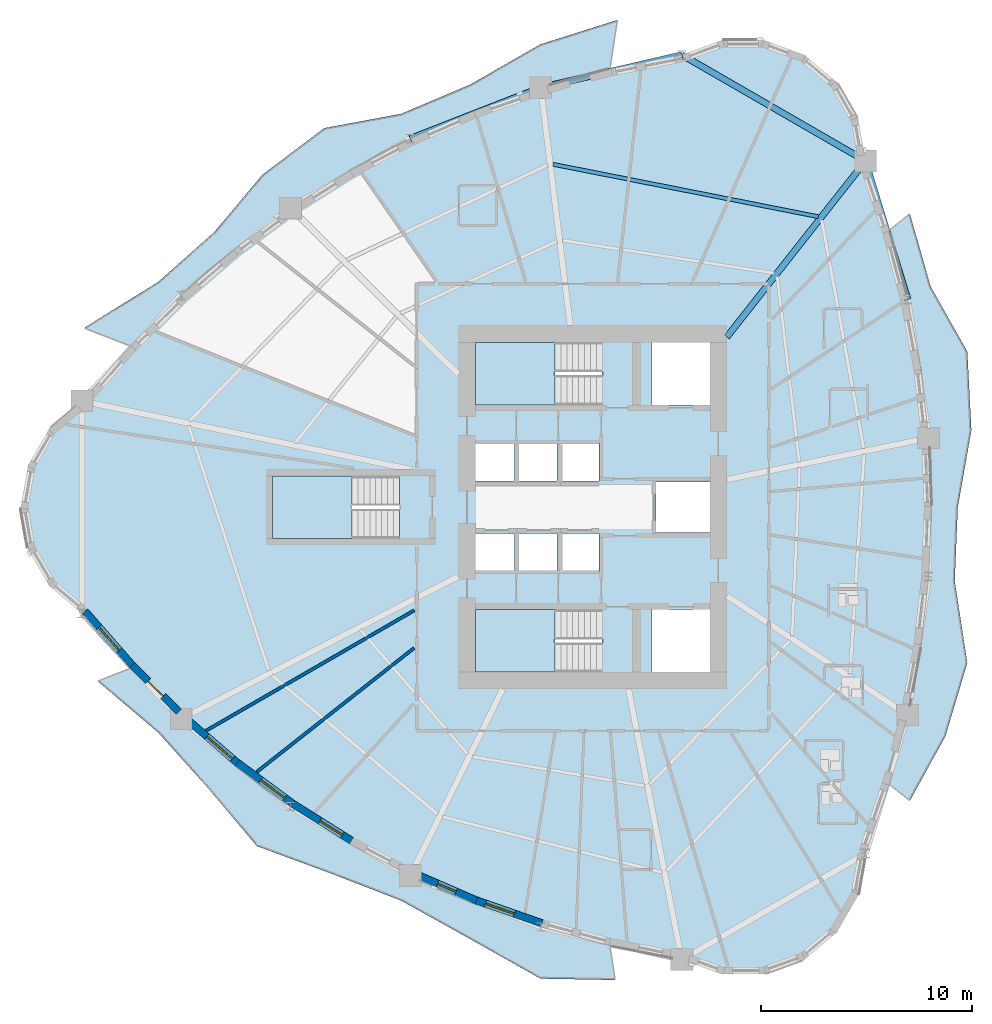
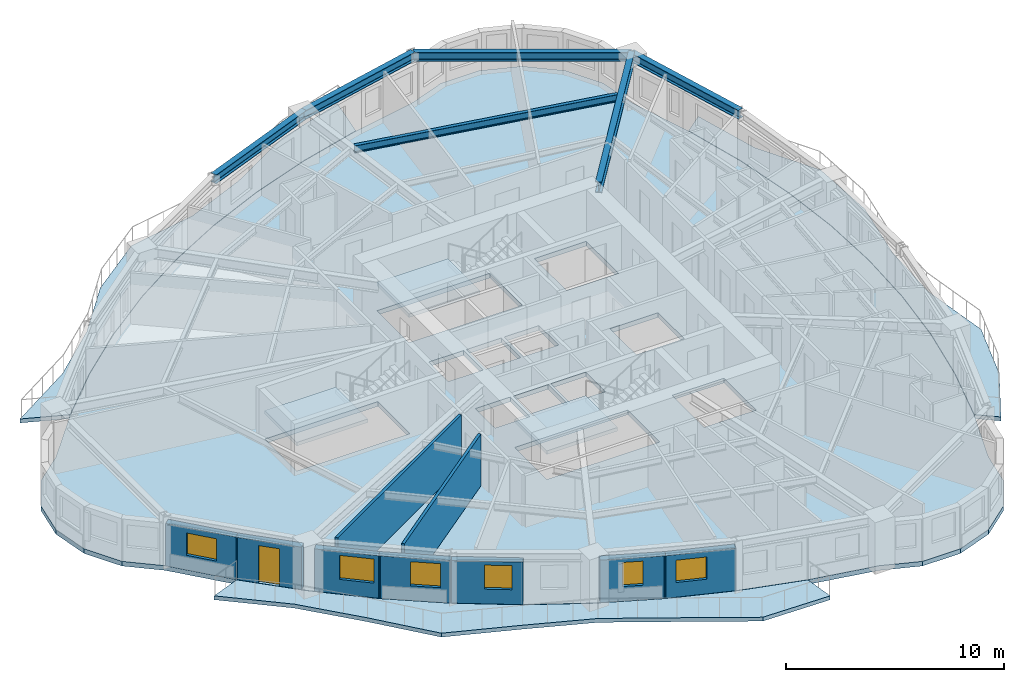
# One storey, part 2 of 13: 9 walls, 7 slabs, 6 beams, 6 windows, 1 door, 7 openings, 3 elements without a shape of their own.
"""IFC4 building model written with IfcOpenShell, lengths in metres."""

import ifcopenshell
import ifcopenshell.guid

model = None  # the IFC model being written
_history = None  # IfcOwnerHistory: only IFC2X3 demands one
_inside = {}  # id of a spatial element -> (the spatial element, [elements in it])
_under = {}  # id of a project, library or spatial element -> (it, [spatial elements below it])
_declared = {}  # id of a project -> (the project, [libraries it declares])
_typed = {}  # id of a type object -> (the type object, [elements of that type])
_made_of = {}  # id of a material, layer set ... -> (it, [elements and type objects made of it])


def new_model(schema):
    """Start an empty IFC model of exactly this schema.

    Asked for "IFC4X3", IfcOpenShell would pick the latest addendum, in which some entities
    have other attributes; the version numbers below select the first issue.
    IFC2X3 requires an IfcOwnerHistory on every rooted entity: one is made here for all.
    """
    global model, _history
    if schema == "IFC4X3":
        model = ifcopenshell.file(schema_version=(4, 3, 0, 0))
    else:
        model = ifcopenshell.file(schema=schema)
    _inside.clear()
    _under.clear()
    _declared.clear()
    _typed.clear()
    _made_of.clear()
    _history = None
    if model.schema == "IFC2X3":
        org = make("IfcOrganization", Name="unknown")
        user = make(
            "IfcPersonAndOrganization",
            ThePerson=make("IfcPerson", FamilyName="unknown"),
            TheOrganization=org,
        )
        app = make(
            "IfcApplication",
            ApplicationDeveloper=org,
            Version="unknown",
            ApplicationFullName="unknown",
            ApplicationIdentifier="unknown",
        )
        _history = make(
            "IfcOwnerHistory",
            OwningUser=user,
            OwningApplication=app,
            ChangeAction="ADDED",
            CreationDate=0,
        )
    return model


def make(cls, **values):
    """One entity of the class cls with the attributes given. An attribute that is None is left unset."""
    return model.create_entity(
        cls, **{name: value for name, value in values.items() if value is not None}
    )


def rooted(cls, **values):
    """An entity with a GlobalId (a new one), such as an element, a storey or a relation."""
    return make(cls, GlobalId=ifcopenshell.guid.new(), OwnerHistory=_history, **values)


def si_unit(unit_type, name, prefix=None):
    """IfcSIUnit, for example si_unit("LENGTHUNIT", "METRE", prefix="MILLI")."""
    return make("IfcSIUnit", UnitType=unit_type, Prefix=prefix, Name=name)


def assignment(units):
    """IfcUnitAssignment: the units of a project."""
    return None if units is None else make("IfcUnitAssignment", Units=units)


def point(xyz):
    """IfcCartesianPoint."""
    return None if xyz is None else make("IfcCartesianPoint", Coordinates=xyz)


def direction(xyz):
    """IfcDirection."""
    return None if xyz is None else make("IfcDirection", DirectionRatios=xyz)


def frame(location, z_axis=None, x_axis=None):
    """IfcAxis2Placement3D, a coordinate frame: its origin and axes. An axis left out is left unset."""
    return make(
        "IfcAxis2Placement3D",
        Location=point(location),
        Axis=direction(z_axis),
        RefDirection=direction(x_axis),
    )


def frame_2d(location, x_axis=None):
    """IfcAxis2Placement2D, a coordinate frame in the plane: its origin and x axis."""
    return make(
        "IfcAxis2Placement2D", Location=point(location), RefDirection=direction(x_axis)
    )


def origin():
    """The frame at (0, 0, 0) with its axes left unset."""
    return frame((0.0, 0.0, 0.0))


def origin_2d():
    """The frame at (0, 0) in the plane with its x axis left unset."""
    return frame_2d((0.0, 0.0))


def place(relative_to, where):
    """IfcLocalPlacement: puts the frame where relative to a parent placement (None: the world)."""
    return make(
        "IfcLocalPlacement", PlacementRelTo=relative_to, RelativePlacement=where
    )


def context(
    kind, dimensions, precision=None, world=None, true_north=None, identifier=None
):
    """IfcGeometricRepresentationContext, for example the 3D "Model" context."""
    return make(
        "IfcGeometricRepresentationContext",
        ContextIdentifier=identifier,
        ContextType=kind,
        CoordinateSpaceDimension=dimensions,
        Precision=precision,
        WorldCoordinateSystem=world,
        TrueNorth=true_north,
    )


def subcontext(parent, identifier, kind, view, scale=None):
    """IfcGeometricRepresentationSubContext, for example "Body" below "Model"."""
    return make(
        "IfcGeometricRepresentationSubContext",
        ContextIdentifier=identifier,
        ContextType=kind,
        ParentContext=parent,
        TargetScale=scale,
        TargetView=view,
    )


def project(units=None, contexts=None):
    """IfcProject with its units and contexts."""
    return rooted(
        "IfcProject",
        Name="project",
        RepresentationContexts=contexts,
        UnitsInContext=assignment(units),
    )


def spatial(cls, under=None, at=None, **own):
    """A site, building, storey or space (cls), placed at a placement, below another one or the project."""
    s = rooted(cls, ObjectPlacement=at, **own)
    if under is not None:
        _under.setdefault(under.id(), (under, []))[1].append(s)
    return s


def polyline(points):
    """IfcPolyline through the points."""
    return make("IfcPolyline", Points=[point(p) for p in points])


def profile(cls, at=None, kind="AREA", **sizes):
    """A parametric profile (cls). Its sizes go by their IFC names, for example OverallWidth=200.0."""
    return make(cls, ProfileType=kind, Position=at, **sizes)


def rectangle(**sizes):
    """IfcRectangleProfileDef."""
    return profile("IfcRectangleProfileDef", **sizes)


def i_section(**sizes):
    """IfcIShapeProfileDef."""
    return profile("IfcIShapeProfileDef", **sizes)


def outline(outer, holes=None, kind="AREA"):
    """IfcArbitraryClosedProfileDef: a profile drawn as a closed curve; with holes, ...WithVoids."""
    if holes is None:
        return make("IfcArbitraryClosedProfileDef", ProfileType=kind, OuterCurve=outer)
    return make(
        "IfcArbitraryProfileDefWithVoids",
        ProfileType=kind,
        OuterCurve=outer,
        InnerCurves=holes,
    )


def extrude(swept, where, along, depth):
    """IfcExtrudedAreaSolid: the profile swept, set in the frame where, extruded along a direction by depth."""
    return make(
        "IfcExtrudedAreaSolid",
        SweptArea=swept,
        Position=where,
        ExtrudedDirection=direction(along),
        Depth=depth,
    )


def shape(context_of_items, identifier, shape_type, items):
    """IfcShapeRepresentation: the items that make up one representation, for example the "Body"."""
    return make(
        "IfcShapeRepresentation",
        ContextOfItems=context_of_items,
        RepresentationIdentifier=identifier,
        RepresentationType=shape_type,
        Items=items,
    )


def source(mapping_origin, context_of_items, identifier, shape_type, items):
    """IfcRepresentationMap: a shape defined once, which mapped items show again and again."""
    return make(
        "IfcRepresentationMap",
        MappingOrigin=mapping_origin,
        MappedRepresentation=shape(context_of_items, identifier, shape_type, items),
    )


def transform(
    local_origin,
    x_axis=None,
    y_axis=None,
    z_axis=None,
    scale=None,
    scale2=None,
    scale3=None,
    uniform=True,
):
    """IfcCartesianTransformationOperator3D, or its non-uniform kind. x_axis, y_axis, z_axis: its Axis1, 2, 3."""
    if uniform:
        return make(
            "IfcCartesianTransformationOperator3D",
            Axis1=direction(x_axis),
            Axis2=direction(y_axis),
            LocalOrigin=point(local_origin),
            Scale=scale,
            Axis3=direction(z_axis),
        )
    return make(
        "IfcCartesianTransformationOperator3DnonUniform",
        Axis1=direction(x_axis),
        Axis2=direction(y_axis),
        LocalOrigin=point(local_origin),
        Scale=scale,
        Axis3=direction(z_axis),
        Scale2=scale2,
        Scale3=scale3,
    )


def mapped(mapping_source, mapping_target):
    """IfcMappedItem: shows the shape of a source again, moved by a transform."""
    return make(
        "IfcMappedItem", MappingSource=mapping_source, MappingTarget=mapping_target
    )


def material(Name=None, Category=None):
    """IfcMaterial."""
    return make("IfcMaterial", Name=Name, Category=Category)


def layer(
    of_material, thickness, ventilated=None, Name=None, Category=None, Priority=None
):
    """IfcMaterialLayer: one layer of a wall or slab, of a material (None: an air gap)."""
    return make(
        "IfcMaterialLayer",
        Material=of_material,
        LayerThickness=thickness,
        IsVentilated=ventilated,
        Name=Name,
        Category=Category,
        Priority=Priority,
    )


def layer_set(layers, Name=None):
    """IfcMaterialLayerSet."""
    return make("IfcMaterialLayerSet", MaterialLayers=layers, LayerSetName=Name)


def material_profile(
    of_material, cross_section, Name=None, Category=None, Priority=None
):
    """IfcMaterialProfile: a cross section and its material."""
    return make(
        "IfcMaterialProfile",
        Name=Name,
        Material=of_material,
        Profile=cross_section,
        Priority=Priority,
        Category=Category,
    )


def profile_set(profiles, Name=None, composite=None):
    """IfcMaterialProfileSet."""
    return make(
        "IfcMaterialProfileSet",
        Name=Name,
        MaterialProfiles=profiles,
        CompositeProfile=composite,
    )


def made_of(thing, what):
    """Note that an element or type object is made of a material, layer set ...; save() writes the relation."""
    if what is not None:
        _made_of.setdefault(what.id(), (what, []))[1].append(thing)
    return thing


def type_object(cls, material=None, **own):
    """A type object (cls), such as IfcWallType, which elements share."""
    return made_of(rooted(cls, **own), material)


def element(
    cls,
    number,
    at=None,
    inside=None,
    cuts=None,
    type_object=None,
    material=None,
    context=None,
    identifier="Body",
    shape_type=None,
    held_by="IfcProductDefinitionShape",
    body=None,
    shapes=None,
    **own,
):
    """One element of the class cls, such as IfcWall. Its Tag is "e" and its number.

    at: its placement. inside: the storey or other place that contains it. cuts: it is an
    opening in that element (IfcRelVoidsElement). A single representation is given by context,
    identifier, shape_type and body (its items); several are given by shapes. held_by: the class
    of the entity that holds the representations. save() writes the other relations.
    """
    e = rooted(cls, Tag="e%d" % number, ObjectPlacement=at, **own)
    if body is not None:
        shapes = [shape(context, identifier, shape_type, body)]
    if shapes is not None:
        e.Representation = make(held_by, Representations=shapes)
    if inside is not None:
        _inside.setdefault(inside.id(), (inside, []))[1].append(e)
    if cuts is not None:
        rooted(
            "IfcRelVoidsElement", RelatingBuildingElement=cuts, RelatedOpeningElement=e
        )
    if type_object is not None:
        _typed.setdefault(type_object.id(), (type_object, []))[1].append(e)
    return made_of(e, material)


def fill(opening, filler):
    """IfcRelFillsElement: the door or window that sits in an opening."""
    return rooted(
        "IfcRelFillsElement",
        RelatingOpeningElement=opening,
        RelatedBuildingElement=filler,
    )


def aggregate(whole, parts):
    """IfcRelAggregates: a whole, such as a stair, and the parts it consists of."""
    return rooted("IfcRelAggregates", RelatingObject=whole, RelatedObjects=parts)


def save(model, path):
    """Write the relations noted so far, then the file.

    IfcRelAggregates (storeys below a building ...), IfcRelContainedInSpatialStructure (elements
    in a storey), IfcRelDefinesByType, IfcRelAssociatesMaterial and IfcRelDeclares: one each for
    every whole, place, type object, material and project.
    """
    for whole, parts in _under.values():
        aggregate(whole, parts)
    for where, things in _inside.values():
        rooted(
            "IfcRelContainedInSpatialStructure",
            RelatedElements=things,
            RelatingStructure=where,
        )
    for kind, things in _typed.values():
        rooted("IfcRelDefinesByType", RelatedObjects=things, RelatingType=kind)
    for what, things in _made_of.values():
        rooted("IfcRelAssociatesMaterial", RelatedObjects=things, RelatingMaterial=what)
    for by, libraries in _declared.values():
        rooted("IfcRelDeclares", RelatingContext=by, RelatedDefinitions=libraries)
    model.write(path)


model = new_model("IFC4")

# Units and contexts
model_context = context("Model", 3, precision=1e-05, world=origin(), true_north=direction((0.0, 1.0)))
body_context = subcontext(model_context, "Body", "Model", "MODEL_VIEW")
ifc_project = project(units=[si_unit("LENGTHUNIT", "METRE"), si_unit("AREAUNIT", "SQUARE_METRE"), si_unit("VOLUMEUNIT", "CUBIC_METRE"), si_unit("PLANEANGLEUNIT", "RADIAN"), si_unit("MASSUNIT", "GRAM", prefix="KILO")], contexts=[model_context])

# Site, building, storey
site_placement = place(None, origin())
site = spatial("IfcSite", under=ifc_project, at=site_placement, CompositionType="ELEMENT")
building_placement = place(site_placement, origin())
building = spatial("IfcBuilding", under=site, at=building_placement, Name="Qafzar Sky-Pleat Residences", CompositionType="ELEMENT")
storey_placement = place(building_placement, frame((0.0, 0.0, 62.199951171875)))
storey = spatial("IfcBuildingStorey", under=building, at=storey_placement, Name="L18", CompositionType="ELEMENT", Elevation=62.199951171875)

# Beams
ifc_material_1 = material(Name="Steel S355", Category="steel")
ifc_material_profile_1 = material_profile(ifc_material_1, i_section(OverallWidth=0.300048828125, OverallDepth=0.5, WebThickness=0.014404296875, FlangeThickness=0.028076171875, FilletRadius=0.027099609375, at=origin_2d()), Name="HEB 500")
ifc_profile_set_1 = profile_set([ifc_material_profile_1], Name="Steel S355")
beam_type_1 = type_object("IfcBeamType", Name="BM-SPAN-HEB500", PredefinedType="SPANDREL", material=ifc_profile_set_1)
shared_shape_1 = source(origin(), body_context, "Body", "SweptSolid", [
    extrude(i_section(OverallWidth=0.300048828125, OverallDepth=0.5, WebThickness=0.014404296875, FlangeThickness=0.028076171875, FilletRadius=0.027099609375, at=origin_2d()), origin(), (0.0, 0.0, 1.0), 10.0458984375),
])
beam_1_placement = place(storey_placement, frame((43.262451171875, 42.389404296875, 2.64794921875), z_axis=(-0.866013584312, 0.500020471368, 0.0), x_axis=(-0.500020471368, -0.866013584312, 0.0)))
element("IfcBeam", 1, at=beam_1_placement, inside=storey, type_object=beam_type_1, Name="L18 Perimeter Spandrel Beam 13", PredefinedType="SPANDREL", context=body_context, shape_type="MappedRepresentation", body=[
    mapped(shared_shape_1, transform((0.0, 0.0, 0.0), x_axis=(1.0, 0.0, 0.0), y_axis=(0.0, 1.0, 0.0), z_axis=(0.0, 0.0, 1.0), scale=1.0)),
])
shared_shape_2 = source(origin(), body_context, "Body", "SweptSolid", [
    extrude(i_section(OverallWidth=0.300048828125, OverallDepth=0.5, WebThickness=0.014404296875, FlangeThickness=0.028076171875, FilletRadius=0.027099609375, at=origin_2d()), origin(), (0.0, 0.0, 1.0), 6.85205078125),
])
for number, where, z_axis, x_axis, name in (
    (2, (45.255615234375, 35.833740234375, 2.64794921875), (-0.290889380192, 0.95675669242, 0.0), (-0.95675669242, -0.290889380192, 0.0), "L18 Perimeter Spandrel Beam 12"),
    (3, (34.5625, 47.41259765625, 2.64794921875), (-0.974011500326, -0.226498559007, 0.0), (0.226498559007, -0.974011500326, 0.0), "L18 Perimeter Spandrel Beam 14"),
):
    element("IfcBeam", number, at=place(storey_placement, frame(where, z_axis=z_axis, x_axis=x_axis)), inside=storey, type_object=beam_type_1, Name=name, PredefinedType="SPANDREL", context=body_context, shape_type="MappedRepresentation", body=[
        mapped(shared_shape_2, transform((0.0, 0.0, 0.0), x_axis=(1.0, 0.0, 0.0), y_axis=(0.0, 1.0, 0.0), z_axis=(0.0, 0.0, 1.0), scale=1.0)),
    ])
shared_shape_3 = source(origin(), body_context, "Body", "SweptSolid", [
    extrude(i_section(OverallWidth=0.300048828125, OverallDepth=0.5, WebThickness=0.014404296875, FlangeThickness=0.028076171875, FilletRadius=0.027099609375, at=origin_2d()), origin(), (0.0, 0.0, 1.0), 6.630859375),
])
beam_2_placement = place(storey_placement, frame((27.888427734375, 45.860595703125, 2.64794921875), z_axis=(-0.931318267356, -0.364206376782, 0.0), x_axis=(0.364206376782, -0.931318267356, 0.0)))
element("IfcBeam", 4, at=beam_2_placement, inside=storey, type_object=beam_type_1, Name="L18 Perimeter Spandrel Beam 15", PredefinedType="SPANDREL", context=body_context, shape_type="MappedRepresentation", body=[
    mapped(shared_shape_3, transform((0.0, 0.0, 0.0), x_axis=(1.0, 0.0, 0.0), y_axis=(0.0, 1.0, 0.0), z_axis=(0.0, 0.0, 1.0), scale=1.0)),
])
ifc_material_profile_2 = material_profile(ifc_material_1, i_section(OverallWidth=0.300048828125, OverallDepth=0.60009765625, WebThickness=0.015380859375, FlangeThickness=0.030029296875, FilletRadius=0.027099609375, at=origin_2d()), Name="HEB 600")
ifc_profile_set_2 = profile_set([ifc_material_profile_2], Name="Steel S355")
beam_type_2 = type_object("IfcBeamType", Name="BM-GIRD-HEB600", PredefinedType="BEAM", material=ifc_profile_set_2)
shared_shape_4 = source(origin(), body_context, "Body", "SweptSolid", [
    extrude(i_section(OverallWidth=0.300048828125, OverallDepth=0.60009765625, WebThickness=0.015380859375, FlangeThickness=0.030029296875, FilletRadius=0.027099609375, at=origin_2d()), origin(), (0.0, 0.0, 1.0), 10.604248046875),
])
beam_3_placement = place(storey_placement, frame((43.262451171875, 42.389404296875, 2.59814453125), z_axis=(-0.618860173659, -0.785501168337, 0.0), x_axis=(0.785501168337, -0.618860173659, 0.0)))
element("IfcBeam", 5, at=beam_3_placement, inside=storey, type_object=beam_type_2, Name="L18 Radial Floor Girder 13", PredefinedType="BEAM", context=body_context, shape_type="MappedRepresentation", body=[
    mapped(shared_shape_4, transform((0.0, 0.0, 0.0), x_axis=(1.0, 0.0, 0.0), y_axis=(0.0, 1.0, 0.0), z_axis=(0.0, 0.0, 1.0), scale=1.0)),
])
ifc_material_profile_3 = material_profile(ifc_material_1, i_section(OverallWidth=0.179931640625, OverallDepth=0.39990234375, WebThickness=0.008544921875, FlangeThickness=0.013427734375, FilletRadius=0.02099609375, at=origin_2d()), Name="IPE 400")
ifc_profile_set_3 = profile_set([ifc_material_profile_3], Name="Steel S355")
beam_type_3 = type_object("IfcBeamType", Name="BM-JST-IPE400", PredefinedType="JOIST", material=ifc_profile_set_3)
shared_shape_5 = source(origin(), body_context, "Body", "SweptSolid", [
    extrude(i_section(OverallWidth=0.179931640625, OverallDepth=0.39990234375, WebThickness=0.008544921875, FlangeThickness=0.013427734375, FilletRadius=0.02099609375, at=origin_2d()), origin(), (0.0, 0.0, 1.0), 12.80517578125),
])
beam_4_placement = place(storey_placement, frame((41.030029296875, 39.750244140625, 2.697998046875), z_axis=(-0.981055151517, 0.193728649615, 0.0), x_axis=(-0.193728649615, -0.981055151517, 0.0)))
element("IfcBeam", 6, at=beam_4_placement, inside=storey, type_object=beam_type_3, Name="L18 Outer Secondary Floor Joist 7", PredefinedType="JOIST", context=body_context, shape_type="MappedRepresentation", body=[
    mapped(shared_shape_5, transform((0.0, 0.0, 0.0), x_axis=(1.0, 0.0, 0.0), y_axis=(0.0, 1.0, 0.0), z_axis=(0.0, 0.0, 1.0), scale=1.0)),
])

# Slabs
ifc_material_2 = material(Name="Concrete C40/50", Category="concrete")
ifc_layer_1 = layer(ifc_material_2, 0.219970703125)
ifc_layer_set_1 = layer_set([ifc_layer_1], Name="Concrete C40/50")
slab_type_1 = type_object("IfcSlabType", Name="SLAB-BAL-220", PredefinedType="USERDEFINED", material=ifc_layer_set_1)
slab_1_placement = place(storey_placement, frame((0.0, 0.0, -0.219970703125)))
element("IfcSlab", 7, at=slab_1_placement, inside=storey, type_object=slab_type_1, Name="L18 Pleated Stone Balcony 1", ObjectType="BALCONY", PredefinedType="USERDEFINED", context=body_context, shape_type="SweptSolid", body=[
    extrude(outline(polyline([(45.265869140625, 16.160400390625), (45.8896484375, 19.440185546875), (46.263916015625, 22.719970703125), (46.388427734375, 26.0), (46.263916015625, 29.280029296875), (45.8896484375, 32.559814453125), (45.265869140625, 35.839599609375), (44.392822265625, 39.119140625), (45.359375, 39.892578125), (46.341552734375, 36.45263671875), (48.077880859375, 33.3623046875), (48.269775390625, 29.640380859375), (47.62646484375, 26.0), (47.482421875, 22.501220703125), (48.077880859375, 18.6376953125), (47.03662109375, 15.1513671875), (45.359375, 12.107421875), (44.392822265625, 12.880859375), (45.265869140625, 16.160400390625)])), origin(), (0.0, 0.0, 1.0), 0.219970703125),
])
slab_2_placement = place(storey_placement, frame((0.0, 0.0, -0.219970703125)))
element("IfcSlab", 8, at=slab_2_placement, inside=storey, type_object=slab_type_1, Name="L18 Pleated Stone Balcony 2", ObjectType="BALCONY", PredefinedType="USERDEFINED", context=body_context, shape_type="SweptSolid", body=[
    extrude(outline(polyline([(27.888427734375, 45.87255859375), (24.736328125, 44.772705078125), (21.708740234375, 43.456787109375), (18.8056640625, 41.9248046875), (16.027587890625, 40.177001953125), (13.374267578125, 38.212890625), (10.845703125, 36.032958984375), (8.44189453125, 33.63720703125), (6.27099609375, 34.485107421875), (9.777099609375, 36.657958984375), (12.423828125, 39.00634765625), (14.712646484375, 41.73388671875), (17.640380859375, 43.943359375), (21.2890625, 44.62158203125), (24.5244140625, 45.992431640625), (27.876953125, 47.910400390625), (31.516357421875, 49.060302734375), (31.1650390625, 46.75634765625), (27.888427734375, 45.87255859375)])), origin(), (0.0, 0.0, 1.0), 0.219970703125),
])
slab_3_placement = place(storey_placement, frame((0.0, 0.0, -0.219970703125)))
element("IfcSlab", 9, at=slab_3_placement, inside=storey, type_object=slab_type_1, Name="L18 Pleated Stone Balcony 3", ObjectType="BALCONY", PredefinedType="USERDEFINED", context=body_context, shape_type="SweptSolid", body=[
    extrude(outline(polyline([(10.845703125, 15.967041015625), (13.374267578125, 13.787109375), (16.027587890625, 11.822998046875), (18.8056640625, 10.0751953125), (21.708740234375, 8.543212890625), (24.736328125, 7.227294921875), (27.888427734375, 6.12744140625), (31.1650390625, 5.24365234375), (31.411865234375, 3.62451171875), (27.874755859375, 3.689453125), (24.455810546875, 5.613525390625), (21.2890625, 7.37841796875), (17.98681640625, 8.656494140625), (14.45458984375, 9.96044921875), (12.116943359375, 12.7373046875), (9.777099609375, 15.342041015625), (6.916259765625, 17.76708984375), (8.44189453125, 18.36279296875), (10.845703125, 15.967041015625)])), origin(), (0.0, 0.0, 1.0), 0.219970703125),
])
ifc_layer_2 = layer(ifc_material_2, 0.260009765625)
ifc_layer_set_2 = layer_set([ifc_layer_2], Name="Concrete C40/50")
slab_type_2 = type_object("IfcSlabType", Name="SLAB-FLR-260", PredefinedType="FLOOR", material=ifc_layer_set_2)
slab_4_placement = place(storey_placement, frame((0.0, 0.0, -0.260009765625)))
element("IfcSlab", 10, at=slab_4_placement, inside=storey, type_object=slab_type_2, Name="L18 Structural Floor Slab", PredefinedType="FLOOR", context=body_context, shape_type="SweptSolid", body=[
    extrude(outline(polyline([(6.175048828125, 31.02294921875), (4.6318359375, 29.728271484375), (3.624755859375, 27.983642578125), (3.27490234375, 26.0), (3.624755859375, 24.016357421875), (4.6318359375, 22.271728515625), (6.175048828125, 20.97705078125), (8.453125, 18.3671875), (10.85595703125, 15.97314453125), (13.38330078125, 13.794921875), (16.035400390625, 11.832275390625), (18.811767578125, 10.08544921875), (21.712890625, 8.554443359375), (24.73828125, 7.239013671875), (27.888427734375, 6.139404296875), (31.1630859375, 5.255615234375), (34.5625, 4.58740234375), (36.455322265625, 3.898681640625), (38.4697265625, 3.898681640625), (40.362548828125, 4.58740234375), (41.905517578125, 5.88232421875), (42.91259765625, 7.626708984375), (43.262451171875, 9.610595703125), (44.383544921875, 12.888427734375), (45.255615234375, 16.166259765625), (45.87841796875, 19.444091796875), (46.251953125, 22.72216796875), (46.37646484375, 26.0), (46.251953125, 29.27783203125), (45.87841796875, 32.555908203125), (45.255615234375, 35.833740234375), (44.383544921875, 39.111572265625), (43.262451171875, 42.389404296875), (42.91259765625, 44.373291015625), (41.905517578125, 46.11767578125), (40.362548828125, 47.41259765625), (38.4697265625, 48.101318359375), (36.455322265625, 48.101318359375), (34.5625, 47.41259765625), (31.1630859375, 46.744384765625), (27.888427734375, 45.860595703125), (24.73828125, 44.760986328125), (21.712890625, 43.445556640625), (18.811767578125, 41.91455078125), (16.035400390625, 40.167724609375), (13.38330078125, 38.205078125), (10.85595703125, 36.02685546875), (8.453125, 33.6328125), (6.175048828125, 31.02294921875)]), holes=[polyline([(30.797119140625, 21.14990234375), (24.800048828125, 21.14990234375), (24.800048828125, 18.199951171875), (30.797119140625, 18.199951171875), (30.797119140625, 21.14990234375)]), polyline([(30.797119140625, 33.800048828125), (24.800048828125, 33.800048828125), (24.800048828125, 30.85009765625), (30.797119140625, 30.85009765625), (30.797119140625, 33.800048828125)]), polyline([(21.197021484375, 27.47509765625), (15.199951171875, 27.47509765625), (15.199951171875, 24.52490234375), (21.197021484375, 24.52490234375), (21.197021484375, 27.47509765625)]), polyline([(24.800048828125, 22.949951171875), (26.64990234375, 22.949951171875), (26.64990234375, 24.75), (24.800048828125, 24.75), (24.800048828125, 22.949951171875)]), polyline([(26.800048828125, 22.949951171875), (28.64990234375, 22.949951171875), (28.64990234375, 24.75), (26.800048828125, 24.75), (26.800048828125, 22.949951171875)]), polyline([(28.800048828125, 22.949951171875), (30.64990234375, 22.949951171875), (30.64990234375, 24.75), (28.800048828125, 24.75), (28.800048828125, 22.949951171875)]), polyline([(24.800048828125, 27.25), (26.64990234375, 27.25), (26.64990234375, 29.050048828125), (24.800048828125, 29.050048828125), (24.800048828125, 27.25)]), polyline([(26.800048828125, 27.25), (28.64990234375, 27.25), (28.64990234375, 29.050048828125), (26.800048828125, 29.050048828125), (26.800048828125, 27.25)]), polyline([(28.800048828125, 27.25), (30.64990234375, 27.25), (30.64990234375, 29.050048828125), (28.800048828125, 29.050048828125), (28.800048828125, 27.25)]), polyline([(33.14990234375, 18.199951171875), (35.89990234375, 18.199951171875), (35.89990234375, 21.14990234375), (33.14990234375, 21.14990234375), (33.14990234375, 18.199951171875)]), polyline([(33.14990234375, 30.85009765625), (35.89990234375, 30.85009765625), (35.89990234375, 33.800048828125), (33.14990234375, 33.800048828125), (33.14990234375, 30.85009765625)]), polyline([(33.35009765625, 24.800048828125), (35.89990234375, 24.800048828125), (35.89990234375, 27.199951171875), (33.35009765625, 27.199951171875), (33.35009765625, 24.800048828125)])]), origin(), (0.0, 0.0, 1.0), 0.260009765625),
])

# Stair, slab
stair_type = type_object("IfcStairType", Name="STAIR-H320", PredefinedType="HALF_TURN_STAIR", material=ifc_material_2)
stair_1_placement = place(storey_placement, origin())
stair_1 = element("IfcStair", 11, at=stair_1_placement, inside=storey, type_object=stair_type, Name="L18 Protected Exit Stair ST1", PredefinedType="HALF_TURN_STAIR")
ifc_layer_3 = layer(ifc_material_2, 0.199951171875)
ifc_layer_set_3 = layer_set([ifc_layer_3], Name="Concrete C40/50")
slab_type_3 = type_object("IfcSlabType", Name="SLAB-LANDING-200", PredefinedType="LANDING", material=ifc_layer_set_3)
slab_5_placement = place(storey_placement, frame((0.0, 0.0, 1.400146484375)))
slab_5 = element("IfcSlab", 12, at=slab_5_placement, type_object=slab_type_3, Name="ST1 landing 1", PredefinedType="LANDING", context=body_context, shape_type="SweptSolid", body=[
    extrude(outline(polyline([(28.56005859375, 21.14990234375), (24.800048828125, 21.14990234375), (24.800048828125, 18.199951171875), (28.56005859375, 18.199951171875), (28.56005859375, 21.14990234375)])), origin(), (0.0, 0.0, 1.0), 0.199951171875),
])
aggregate(stair_1, [slab_5])

stair_2_placement = place(storey_placement, origin())
stair_2 = element("IfcStair", 13, at=stair_2_placement, inside=storey, type_object=stair_type, Name="L18 Protected Exit Stair ST2", PredefinedType="HALF_TURN_STAIR")
slab_6_placement = place(storey_placement, frame((0.0, 0.0, 1.400146484375)))
slab_6 = element("IfcSlab", 14, at=slab_6_placement, type_object=slab_type_3, Name="ST2 landing 1", PredefinedType="LANDING", context=body_context, shape_type="SweptSolid", body=[
    extrude(outline(polyline([(28.56005859375, 33.800048828125), (24.800048828125, 33.800048828125), (24.800048828125, 30.85009765625), (28.56005859375, 30.85009765625), (28.56005859375, 33.800048828125)])), origin(), (0.0, 0.0, 1.0), 0.199951171875),
])
aggregate(stair_2, [slab_6])

stair_3_placement = place(storey_placement, origin())
stair_3 = element("IfcStair", 15, at=stair_3_placement, inside=storey, type_object=stair_type, Name="L18 Protected Exit Stair ST3", PredefinedType="HALF_TURN_STAIR")
slab_7_placement = place(storey_placement, frame((0.0, 0.0, 1.400146484375)))
slab_7 = element("IfcSlab", 16, at=slab_7_placement, type_object=slab_type_3, Name="ST3 landing 1", PredefinedType="LANDING", context=body_context, shape_type="SweptSolid", body=[
    extrude(outline(polyline([(18.9599609375, 27.47509765625), (15.199951171875, 27.47509765625), (15.199951171875, 24.52490234375), (18.9599609375, 24.52490234375), (18.9599609375, 27.47509765625)])), origin(), (0.0, 0.0, 1.0), 0.199951171875),
])
aggregate(stair_3, [slab_7])

# Walls
ifc_material_3 = material(Name="Acoustic gypsum plasterboard partition", Category="gypsum")
ifc_layer_4 = layer(ifc_material_3, 0.14501953125)
ifc_layer_set_4 = layer_set([ifc_layer_4], Name="Acoustic gypsum plasterboard partition")
wall_type_1 = type_object("IfcWallType", Name="PART-UNIT-145", PredefinedType="PARTITIONING", material=ifc_layer_set_4)
wall_1_placement = place(storey_placement, frame((12.048583984375, 15.42236328125, 0.0), z_axis=(0.0, 0.0, 1.0), x_axis=(0.865775806306, 0.500432066534, 0.0)))
element("IfcWall", 17, at=wall_1_placement, inside=storey, type_object=wall_type_1, Name="L18 Partition Wall PART-L18-PW-036", PredefinedType="PARTITIONING", context=body_context, shape_type="SweptSolid", body=[
    extrude(rectangle(XDim=11.375, YDim=0.14501953125, at=frame_2d((5.6875, 0.0))), origin(), (0.0, 0.0, 1.0), 2.900146484375),
])
wall_2_placement = place(storey_placement, frame((14.4521484375, 13.472900390625, 0.0), z_axis=(0.0, 0.0, 1.0), x_axis=(0.785461283481, 0.618910794988, 0.0)))
element("IfcWall", 18, at=wall_2_placement, inside=storey, type_object=wall_type_1, Name="L18 Partition Wall PART-L18-PW-039", PredefinedType="PARTITIONING", context=body_context, shape_type="SweptSolid", body=[
    extrude(rectangle(XDim=9.468017578125, YDim=0.14501953125, at=frame_2d((4.73388671875, 0.0))), origin(), (0.0, 0.0, 1.0), 2.900146484375),
])

# Wall, opening, window
ifc_material_4 = material(Name="Precast concrete C40/50 with honed Riyadh limestone", Category="concrete")
ifc_layer_5 = layer(ifc_material_4, 0.35009765625)
ifc_layer_set_5 = layer_set([ifc_layer_5], Name="Precast concrete C40/50 with honed Riyadh limestone")
wall_type_2 = type_object("IfcWallType", Name="WALL-EXT-350", PredefinedType="SOLIDWALL", material=ifc_layer_set_5)
wall_3_placement = place(storey_placement, frame((6.320068359375, 21.0771484375, 0.0), z_axis=(0.0, 0.0, 1.0), x_axis=(0.657600811823, -0.753366559046, 0.0)))
wall_3 = element("IfcWall", 19, at=wall_3_placement, inside=storey, type_object=wall_type_2, Name="L18 Limestone Facade Wall 7", PredefinedType="SOLIDWALL", context=body_context, shape_type="SweptSolid", body=[
    extrude(rectangle(XDim=3.482421875, YDim=0.35009765625, at=frame_2d((1.7412109375, 0.0))), origin(), (0.0, 0.0, 1.0), 2.380126953125),
])
opening_1_placement = place(wall_3_placement, frame((1.006103515625, 0.0, 0.820068359375)))
opening_1 = element("IfcOpeningElement", 20, at=opening_1_placement, cuts=wall_3, Name="Opening WN-15", PredefinedType="OPENING", context=body_context, shape_type="SweptSolid", body=[
    extrude(rectangle(XDim=1.449951171875, YDim=1.25, at=frame_2d((0.72509765625, 0.625))), frame((0.0, 0.18505859375, 0.0), z_axis=(0.0, -1.0, 0.0), x_axis=(1.0, 0.0, 0.0)), (0.0, 0.0, 1.0), 0.3701171875),
])
ifc_material_5 = material(Name="Solar-control low-E glass in bronze aluminium frame", Category="glass")
window_type_1 = type_object("IfcWindowType", Name="WIN-15", PartitioningType="SINGLE_PANEL", PredefinedType="WINDOW", material=ifc_material_5)
shared_shape_6 = source(origin(), body_context, "Body", "SweptSolid", [
    extrude(rectangle(XDim=1.449951171875, YDim=1.25, at=frame_2d((0.72509765625, 0.625))), frame((0.0, 0.030029296875, 0.0), z_axis=(0.0, -1.0, 0.0), x_axis=(1.0, 0.0, 0.0)), (0.0, 0.0, 1.0), 0.06005859375),
])
window_1_placement = place(opening_1_placement, origin())
window_1 = element("IfcWindow", 21, at=window_1_placement, inside=storey, type_object=window_type_1, Name="L18 Punched Facade Window 07", OverallHeight=1.25, OverallWidth=1.449951171875, PartitioningType="SINGLE_PANEL", PredefinedType="WINDOW", context=body_context, shape_type="MappedRepresentation", body=[
    mapped(shared_shape_6, transform((0.0, 0.0, 0.0), x_axis=(1.0, 0.0, 0.0), y_axis=(0.0, 1.0, 0.0), z_axis=(0.0, 0.0, 1.0), scale=1.0)),
])
fill(opening_1, window_1)

# Wall, opening, door
wall_4_placement = place(storey_placement, frame((8.5498046875, 18.51806640625, 0.0), z_axis=(0.0, 0.0, 1.0), x_axis=(0.708392603797, -0.705818616137, 0.0)))
wall_4 = element("IfcWall", 22, at=wall_4_placement, inside=storey, type_object=wall_type_2, Name="L18 Limestone Facade Wall 8", PredefinedType="SOLIDWALL", context=body_context, shape_type="SweptSolid", body=[
    extrude(rectangle(XDim=3.130126953125, YDim=0.35009765625, at=frame_2d((1.56494140625, 0.0))), origin(), (0.0, 0.0, 1.0), 2.380126953125),
])
opening_2_placement = place(wall_4_placement, frame((1.06494140625, 0.0, 0.0)))
opening_2 = element("IfcOpeningElement", 23, at=opening_2_placement, cuts=wall_4, Name="Opening ED-05", PredefinedType="OPENING", context=body_context, shape_type="SweptSolid", body=[
    extrude(rectangle(XDim=1.0, YDim=2.10009765625, at=frame_2d((0.5, 1.050048828125))), frame((0.0, 0.18505859375, 0.0), z_axis=(0.0, -1.0, 0.0), x_axis=(1.0, 0.0, 0.0)), (0.0, 0.0, 1.0), 0.3701171875),
])
ifc_material_6 = material(Name="Glazed bronze aluminium door", Category="aluminium")
door_type = type_object("IfcDoorType", Name="DR-BAL-1000", OperationType="NOTDEFINED", PredefinedType="DOOR", material=ifc_material_6)
shared_shape_7 = source(origin(), body_context, "Body", "SweptSolid", [
    extrude(rectangle(XDim=1.0, YDim=2.10009765625, at=frame_2d((0.5, 1.050048828125))), frame((0.0, 0.02490234375, 0.0), z_axis=(0.0, -1.0, 0.0), x_axis=(1.0, 0.0, 0.0)), (0.0, 0.0, 1.0), 0.050048828125),
])
door_placement = place(opening_2_placement, origin())
door = element("IfcDoor", 24, at=door_placement, inside=storey, type_object=door_type, Name="L18 Glazed Balcony Door 3", OperationType="SINGLE_SWING_LEFT", OverallHeight=2.10009765625, OverallWidth=1.0, PredefinedType="DOOR", context=body_context, shape_type="MappedRepresentation", body=[
    mapped(shared_shape_7, transform((0.0, 0.0, 0.0), x_axis=(1.0, 0.0, 0.0), y_axis=(0.0, 1.0, 0.0), z_axis=(0.0, 0.0, 1.0), scale=1.0)),
])
fill(opening_2, door)

# Wall, opening, window
wall_5_placement = place(storey_placement, frame((11.197509765625, 15.909912109375, 0.0), z_axis=(0.0, 0.0, 1.0), x_axis=(0.757460062477, -0.652881500544, 0.0)))
wall_5 = element("IfcWall", 25, at=wall_5_placement, inside=storey, type_object=wall_type_2, Name="L18 Limestone Facade Wall 9", PredefinedType="SOLIDWALL", context=body_context, shape_type="SweptSolid", body=[
    extrude(rectangle(XDim=3.074462890625, YDim=0.35009765625, at=frame_2d((1.537109375, 0.0))), origin(), (0.0, 0.0, 1.0), 2.380126953125),
])
opening_3_placement = place(wall_5_placement, frame((1.175048828125, 0.0, 0.820068359375)))
opening_3 = element("IfcOpeningElement", 26, at=opening_3_placement, cuts=wall_5, Name="Opening WN-09", PredefinedType="OPENING", context=body_context, shape_type="SweptSolid", body=[
    extrude(rectangle(XDim=1.60009765625, YDim=1.35009765625, at=frame_2d((0.800048828125, 0.675048828125))), frame((0.0, 0.18505859375, 0.0), z_axis=(0.0, -1.0, 0.0), x_axis=(1.0, 0.0, 0.0)), (0.0, 0.0, 1.0), 0.3701171875),
])
window_type_2 = type_object("IfcWindowType", Name="WIN-09", PartitioningType="DOUBLE_PANEL_VERTICAL", PredefinedType="WINDOW", material=ifc_material_5)
shared_shape_8 = source(origin(), body_context, "Body", "SweptSolid", [
    extrude(rectangle(XDim=1.60009765625, YDim=1.35009765625, at=frame_2d((0.800048828125, 0.675048828125))), frame((0.0, 0.030029296875, 0.0), z_axis=(0.0, -1.0, 0.0), x_axis=(1.0, 0.0, 0.0)), (0.0, 0.0, 1.0), 0.06005859375),
])
window_2_placement = place(opening_3_placement, origin())
window_2 = element("IfcWindow", 27, at=window_2_placement, inside=storey, type_object=window_type_2, Name="L18 Punched Facade Window 09-2", OverallHeight=1.35009765625, OverallWidth=1.60009765625, PartitioningType="SINGLE_PANEL", PredefinedType="WINDOW", context=body_context, shape_type="MappedRepresentation", body=[
    mapped(shared_shape_8, transform((0.0, 0.0, 0.0), x_axis=(1.0, 0.0, 0.0), y_axis=(0.0, 1.0, 0.0), z_axis=(0.0, 0.0, 1.0), scale=1.0)),
])
fill(opening_3, window_2)

wall_6_placement = place(storey_placement, frame((13.45703125, 13.958251953125, 0.0), z_axis=(0.0, 0.0, 1.0), x_axis=(0.803790514758, -0.594912437578, 0.0)))
wall_6 = element("IfcWall", 28, at=wall_6_placement, inside=storey, type_object=wall_type_2, Name="L18 Limestone Facade Wall 10", PredefinedType="SOLIDWALL", context=body_context, shape_type="SweptSolid", body=[
    extrude(rectangle(XDim=3.317138671875, YDim=0.35009765625, at=frame_2d((1.65869140625, 0.0))), origin(), (0.0, 0.0, 1.0), 2.380126953125),
])
opening_4_placement = place(wall_6_placement, frame((1.468017578125, 0.0, 0.820068359375)))
opening_4 = element("IfcOpeningElement", 29, at=opening_4_placement, cuts=wall_6, Name="Opening WN-10", PredefinedType="OPENING", context=body_context, shape_type="SweptSolid", body=[
    extrude(rectangle(XDim=1.39990234375, YDim=1.35009765625, at=frame_2d((0.699951171875, 0.675048828125))), frame((0.0, 0.18505859375, 0.0), z_axis=(0.0, -1.0, 0.0), x_axis=(1.0, 0.0, 0.0)), (0.0, 0.0, 1.0), 0.3701171875),
])
window_type_3 = type_object("IfcWindowType", Name="WIN-10", PartitioningType="SINGLE_PANEL", PredefinedType="WINDOW", material=ifc_material_5)
shared_shape_9 = source(origin(), body_context, "Body", "SweptSolid", [
    extrude(rectangle(XDim=1.39990234375, YDim=1.35009765625, at=frame_2d((0.699951171875, 0.675048828125))), frame((0.0, 0.030029296875, 0.0), z_axis=(0.0, -1.0, 0.0), x_axis=(1.0, 0.0, 0.0)), (0.0, 0.0, 1.0), 0.06005859375),
])
window_3_placement = place(opening_4_placement, origin())
window_3 = element("IfcWindow", 30, at=window_3_placement, inside=storey, type_object=window_type_3, Name="L18 Punched Facade Window 10-2", OverallHeight=1.35009765625, OverallWidth=1.39990234375, PartitioningType="SINGLE_PANEL", PredefinedType="WINDOW", context=body_context, shape_type="MappedRepresentation", body=[
    mapped(shared_shape_9, transform((0.0, 0.0, 0.0), x_axis=(1.0, 0.0, 0.0), y_axis=(0.0, 1.0, 0.0), z_axis=(0.0, 0.0, 1.0), scale=1.0)),
])
fill(opening_4, window_3)

wall_7_placement = place(storey_placement, frame((16.1455078125, 11.9697265625, 0.0), z_axis=(0.0, 0.0, 1.0), x_axis=(0.846405860611, -0.532538373381, 0.0)))
wall_7 = element("IfcWall", 31, at=wall_7_placement, inside=storey, type_object=wall_type_2, Name="L18 Limestone Facade Wall 11", PredefinedType="SOLIDWALL", context=body_context, shape_type="SweptSolid", body=[
    extrude(rectangle(XDim=3.298095703125, YDim=0.35009765625, at=frame_2d((1.64892578125, 0.0))), origin(), (0.0, 0.0, 1.0), 2.380126953125),
])
opening_5_placement = place(wall_7_placement, frame((1.531005859375, 0.0, 0.820068359375)))
opening_5 = element("IfcOpeningElement", 32, at=opening_5_placement, cuts=wall_7, Name="Opening WN-11", PredefinedType="OPENING", context=body_context, shape_type="SweptSolid", body=[
    extrude(rectangle(XDim=1.25, YDim=1.35009765625, at=frame_2d((0.625, 0.675048828125))), frame((0.0, 0.18505859375, 0.0), z_axis=(0.0, -1.0, 0.0), x_axis=(1.0, 0.0, 0.0)), (0.0, 0.0, 1.0), 0.3701171875),
])
window_type_4 = type_object("IfcWindowType", Name="WIN-11", PartitioningType="SINGLE_PANEL", PredefinedType="WINDOW", material=ifc_material_5)
shared_shape_10 = source(origin(), body_context, "Body", "SweptSolid", [
    extrude(rectangle(XDim=1.25, YDim=1.35009765625, at=frame_2d((0.625, 0.675048828125))), frame((0.0, 0.030029296875, 0.0), z_axis=(0.0, -1.0, 0.0), x_axis=(1.0, 0.0, 0.0)), (0.0, 0.0, 1.0), 0.06005859375),
])
window_4_placement = place(opening_5_placement, origin())
window_4 = element("IfcWindow", 33, at=window_4_placement, inside=storey, type_object=window_type_4, Name="L18 Punched Facade Window 11-2", OverallHeight=1.35009765625, OverallWidth=1.25, PartitioningType="SINGLE_PANEL", PredefinedType="WINDOW", context=body_context, shape_type="MappedRepresentation", body=[
    mapped(shared_shape_10, transform((0.0, 0.0, 0.0), x_axis=(1.0, 0.0, 0.0), y_axis=(0.0, 1.0, 0.0), z_axis=(0.0, 0.0, 1.0), scale=1.0)),
])
fill(opening_5, window_4)

wall_8_placement = place(storey_placement, frame((22.0576171875, 8.59521484375, 0.0), z_axis=(0.0, 0.0, 1.0), x_axis=(0.917112224483, -0.398629110458, 0.0)))
wall_8 = element("IfcWall", 34, at=wall_8_placement, inside=storey, type_object=wall_type_2, Name="L18 Limestone Facade Wall 13", PredefinedType="SOLIDWALL", context=body_context, shape_type="SweptSolid", body=[
    extrude(rectangle(XDim=3.037109375, YDim=0.35009765625, at=frame_2d((1.5185546875, 0.0))), origin(), (0.0, 0.0, 1.0), 2.380126953125),
])
opening_6_placement = place(wall_8_placement, frame((1.03857421875, 0.0, 0.820068359375)))
opening_6 = element("IfcOpeningElement", 35, at=opening_6_placement, cuts=wall_8, Name="Opening WN-12", PredefinedType="OPENING", context=body_context, shape_type="SweptSolid", body=[
    extrude(rectangle(XDim=0.949951171875, YDim=1.35009765625, at=frame_2d((0.47509765625, 0.675048828125))), frame((0.0, 0.18505859375, 0.0), z_axis=(0.0, -1.0, 0.0), x_axis=(1.0, 0.0, 0.0)), (0.0, 0.0, 1.0), 0.3701171875),
])
window_type_5 = type_object("IfcWindowType", Name="WIN-12", PartitioningType="SINGLE_PANEL", PredefinedType="WINDOW", material=ifc_material_5)
shared_shape_11 = source(origin(), body_context, "Body", "SweptSolid", [
    extrude(rectangle(XDim=0.949951171875, YDim=1.35009765625, at=frame_2d((0.47509765625, 0.675048828125))), frame((0.0, 0.030029296875, 0.0), z_axis=(0.0, -1.0, 0.0), x_axis=(1.0, 0.0, 0.0)), (0.0, 0.0, 1.0), 0.06005859375),
])
window_5_placement = place(opening_6_placement, origin())
window_5 = element("IfcWindow", 36, at=window_5_placement, inside=storey, type_object=window_type_5, Name="L18 Punched Facade Window 13", OverallHeight=1.35009765625, OverallWidth=0.949951171875, PartitioningType="SINGLE_PANEL", PredefinedType="WINDOW", context=body_context, shape_type="MappedRepresentation", body=[
    mapped(shared_shape_11, transform((0.0, 0.0, 0.0), x_axis=(1.0, 0.0, 0.0), y_axis=(0.0, 1.0, 0.0), z_axis=(0.0, 0.0, 1.0), scale=1.0)),
])
fill(opening_6, window_5)

wall_9_placement = place(storey_placement, frame((24.76025390625, 7.416748046875, 0.0), z_axis=(0.0, 0.0, 1.0), x_axis=(0.944134890247, -0.329559264804, 0.0)))
wall_9 = element("IfcWall", 37, at=wall_9_placement, inside=storey, type_object=wall_type_2, Name="L18 Limestone Facade Wall 14", PredefinedType="SOLIDWALL", context=body_context, shape_type="SweptSolid", body=[
    extrude(rectangle(XDim=3.3544921875, YDim=0.35009765625, at=frame_2d((1.67724609375, 0.0))), origin(), (0.0, 0.0, 1.0), 2.380126953125),
])
opening_7_placement = place(wall_9_placement, frame((0.543212890625, 0.0, 0.820068359375)))
opening_7 = element("IfcOpeningElement", 38, at=opening_7_placement, cuts=wall_9, Name="Opening WN-15", PredefinedType="OPENING", context=body_context, shape_type="SweptSolid", body=[
    extrude(rectangle(XDim=1.449951171875, YDim=1.25, at=frame_2d((0.72509765625, 0.625))), frame((0.0, 0.18505859375, 0.0), z_axis=(0.0, -1.0, 0.0), x_axis=(1.0, 0.0, 0.0)), (0.0, 0.0, 1.0), 0.3701171875),
])
window_6_placement = place(opening_7_placement, origin())
window_6 = element("IfcWindow", 39, at=window_6_placement, inside=storey, type_object=window_type_1, Name="L18 Punched Facade Window 14", OverallHeight=1.25, OverallWidth=1.449951171875, PartitioningType="SINGLE_PANEL", PredefinedType="WINDOW", context=body_context, shape_type="MappedRepresentation", body=[
    mapped(shared_shape_6, transform((0.0, 0.0, 0.0), x_axis=(1.0, 0.0, 0.0), y_axis=(0.0, 1.0, 0.0), z_axis=(0.0, 0.0, 1.0), scale=1.0)),
])
fill(opening_7, window_6)

save(model, "model.ifc")
